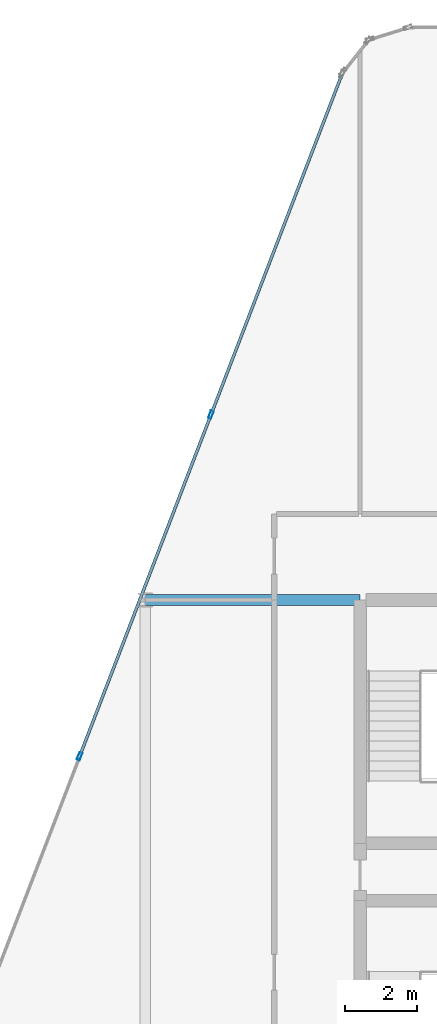
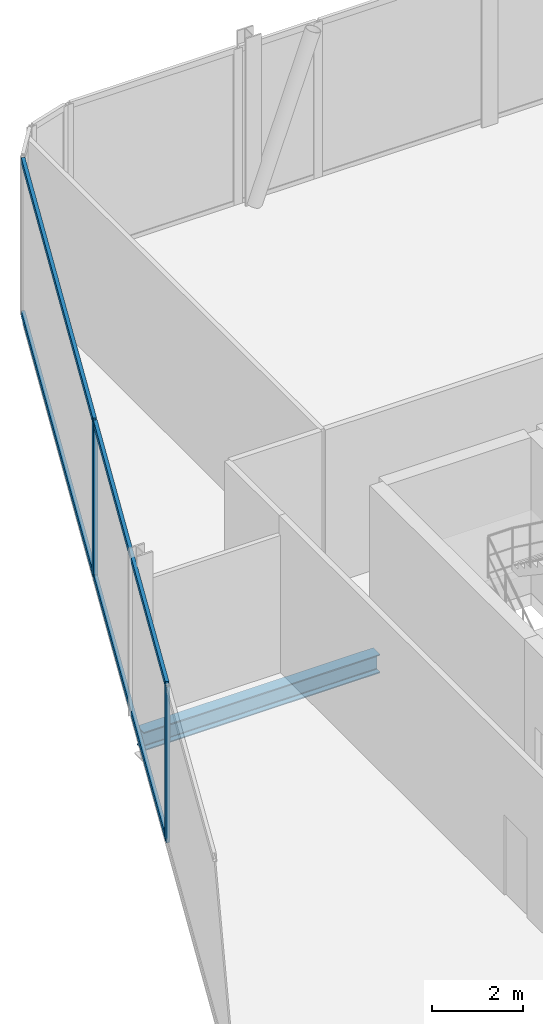
# One storey, part 12 of 30: 6 members, 1 beam, 1 element without a shape of its own.
"""IFC4 building model written with IfcOpenShell, lengths in metres."""

from ifc_helpers import new_model, si_unit, direction, frame, origin, origin_2d, place, context, subcontext, project, spatial, hollow_rectangle, i_section, extrude, material, layer, layer_set, material_profile, profile_set, type_object, element, aggregate, save


model = new_model("IFC4")

# Units and contexts
model_context = context("Model", 3, precision=1e-05, world=origin(), true_north=direction((0.0, 1.0)))
body_context = subcontext(model_context, "Body", "Model", "MODEL_VIEW")
ifc_project = project(units=[si_unit("LENGTHUNIT", "METRE"), si_unit("AREAUNIT", "SQUARE_METRE"), si_unit("VOLUMEUNIT", "CUBIC_METRE"), si_unit("PLANEANGLEUNIT", "RADIAN"), si_unit("MASSUNIT", "GRAM", prefix="KILO")], contexts=[model_context])

# Site, building, storey
site_placement = place(None, origin())
site = spatial("IfcSite", under=ifc_project, at=site_placement, CompositionType="ELEMENT")
building_placement = place(site_placement, origin())
building = spatial("IfcBuilding", under=site, at=building_placement, Name="Keshet Zoharim Tower", CompositionType="ELEMENT")
storey_placement = place(building_placement, frame((0.0, 0.0, 65.60009765625)))
storey = spatial("IfcBuildingStorey", under=building, at=storey_placement, Name="L15", CompositionType="ELEMENT", Elevation=65.60009765625)

# Beam
ifc_material_1 = material(Name="Steel S355", Category="steel")
ifc_material_profile_1 = material_profile(ifc_material_1, i_section(OverallWidth=0.300048828125, OverallDepth=0.5, WebThickness=0.014404296875, FlangeThickness=0.028076171875, FilletRadius=0.027099609375, at=origin_2d()), Name="HEB500")
ifc_profile_set_1 = profile_set([ifc_material_profile_1], Name="Steel S355")
beam_type = type_object("IfcBeamType", Name="BM-WEB-HB500", PredefinedType="BEAM", material=ifc_profile_set_1)
beam_placement = place(storey_placement, frame((9.0, 37.89990234375, -0.570068359375), z_axis=(1.0, 0.0, 0.0), x_axis=(0.0, 1.0, 0.0)))
element("IfcBeam", 1, at=beam_placement, inside=storey, type_object=beam_type, Name="L15 Primary Girder X-025", PredefinedType="BEAM", context=body_context, shape_type="SweptSolid", body=[
    extrude(i_section(OverallWidth=0.300048828125, OverallDepth=0.5, WebThickness=0.014404296875, FlangeThickness=0.028076171875, FilletRadius=0.027099609375, at=origin_2d()), origin(), (0.0, 0.0, 1.0), 6.0),
])

# Curtain wall, members
ifc_material_2 = material(Name="Aluminium 6063-T6", Category="aluminium")
ifc_layer = layer(ifc_material_2, 0.179931640625)
ifc_layer_set = layer_set([ifc_layer], Name="Aluminium 6063-T6")
curtain_wall_type = type_object("IfcCurtainWallType", Name="CW-SYS-01", PredefinedType="NOTDEFINED", material=ifc_layer_set)
curtain_wall_placement = place(storey_placement, origin())
curtain_wall = element("IfcCurtainWall", 2, at=curtain_wall_placement, inside=storey, type_object=curtain_wall_type, Name="L15 Unitised Curtain Wall 01", PredefinedType="NOTDEFINED")
ifc_material_profile_2 = material_profile(ifc_material_2, hollow_rectangle(XDim=0.090087890625, YDim=0.219970703125, WallThickness=0.0048828125, at=origin_2d()), Name="MUL-90x220")
ifc_profile_set_2 = profile_set([ifc_material_profile_2], Name="Aluminium 6063-T6")
member_type_1 = type_object("IfcMemberType", Name="CWM-M22", PredefinedType="MULLION", material=ifc_profile_set_2)
member_1_placement = place(storey_placement, frame((7.1669921875, 33.53466796875, 0.0), z_axis=(0.0, 0.0, 1.0), x_axis=(-0.933341404361, 0.358990003907, 0.0)))
member_1 = element("IfcMember", 3, at=member_1_placement, type_object=member_type_1, Name="CW-01 mullion 2", PredefinedType="MULLION", context=body_context, shape_type="SweptSolid", body=[
    extrude(hollow_rectangle(XDim=0.090087890625, YDim=0.219970703125, WallThickness=0.0048828125, at=origin_2d()), origin(), (0.0, 0.0, 1.0), 4.184814453125),
])
member_2_placement = place(storey_placement, frame((10.8369140625, 43.076416015625, 0.0), z_axis=(0.0, 0.0, 1.0), x_axis=(-0.933341404361, 0.358990003907, 0.0)))
member_2 = element("IfcMember", 4, at=member_2_placement, type_object=member_type_1, Name="CW-01 mullion 3", PredefinedType="MULLION", context=body_context, shape_type="SweptSolid", body=[
    extrude(hollow_rectangle(XDim=0.090087890625, YDim=0.219970703125, WallThickness=0.0048828125, at=origin_2d()), origin(), (0.0, 0.0, 1.0), 4.184814453125),
])
ifc_material_profile_3 = material_profile(ifc_material_2, hollow_rectangle(XDim=0.0849609375, YDim=0.159912109375, WallThickness=0.00439453125, at=origin_2d()), Name="TRN-85x160")
ifc_profile_set_3 = profile_set([ifc_material_profile_3], Name="Aluminium 6063-T6")
member_type_2 = type_object("IfcMemberType", Name="CWT-T16", PredefinedType="USERDEFINED", material=ifc_profile_set_3)
member_3_placement = place(storey_placement, frame((7.179443359375, 33.5673828125, 0.034912109375), z_axis=(0.359003248899, 0.933336309848, 0.0), x_axis=(-0.933336309848, 0.359003248899, 0.0)))
member_3 = element("IfcMember", 5, at=member_3_placement, type_object=member_type_2, Name="CW-01 transom 2.1", ObjectType="TRANSOM", PredefinedType="USERDEFINED", context=body_context, shape_type="SweptSolid", body=[
    extrude(hollow_rectangle(XDim=0.0849609375, YDim=0.159912109375, WallThickness=0.00439453125, at=origin_2d()), origin(), (0.0, 0.0, 1.0), 10.153076171875),
])
member_4_placement = place(storey_placement, frame((7.179443359375, 33.5673828125, 4.14990234375), z_axis=(0.359003248899, 0.933336309848, 0.0), x_axis=(-0.933336309848, 0.359003248899, 0.0)))
member_4 = element("IfcMember", 6, at=member_4_placement, type_object=member_type_2, Name="CW-01 transom 2.2", ObjectType="TRANSOM", PredefinedType="USERDEFINED", context=body_context, shape_type="SweptSolid", body=[
    extrude(hollow_rectangle(XDim=0.0849609375, YDim=0.159912109375, WallThickness=0.00439453125, at=origin_2d()), origin(), (0.0, 0.0, 1.0), 10.153076171875),
])
member_5_placement = place(storey_placement, frame((10.849609375, 43.10888671875, 0.034912109375), z_axis=(0.358985546764, 0.933343118694, 0.0), x_axis=(-0.933343118694, 0.358985546764, 0.0)))
member_5 = element("IfcMember", 7, at=member_5_placement, type_object=member_type_2, Name="CW-01 transom 3.1", ObjectType="TRANSOM", PredefinedType="USERDEFINED", context=body_context, shape_type="SweptSolid", body=[
    extrude(hollow_rectangle(XDim=0.0849609375, YDim=0.159912109375, WallThickness=0.00439453125, at=origin_2d()), origin(), (0.0, 0.0, 1.0), 10.118408203125),
])
member_6_placement = place(storey_placement, frame((10.849609375, 43.10888671875, 4.14990234375), z_axis=(0.358985546764, 0.933343118694, 0.0), x_axis=(-0.933343118694, 0.358985546764, 0.0)))
member_6 = element("IfcMember", 8, at=member_6_placement, type_object=member_type_2, Name="CW-01 transom 3.2", ObjectType="TRANSOM", PredefinedType="USERDEFINED", context=body_context, shape_type="SweptSolid", body=[
    extrude(hollow_rectangle(XDim=0.0849609375, YDim=0.159912109375, WallThickness=0.00439453125, at=origin_2d()), origin(), (0.0, 0.0, 1.0), 10.118408203125),
])
aggregate(curtain_wall, [member_1, member_2, member_3, member_4, member_5, member_6])

save(model, "model.ifc")
